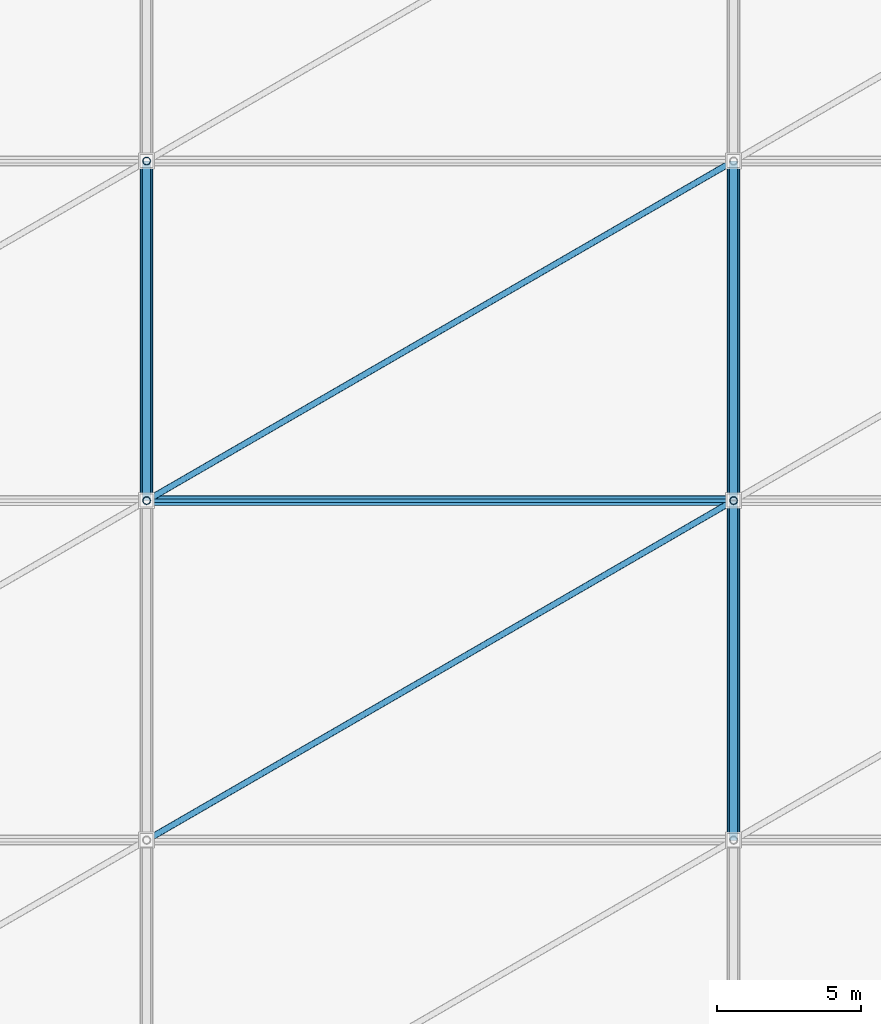
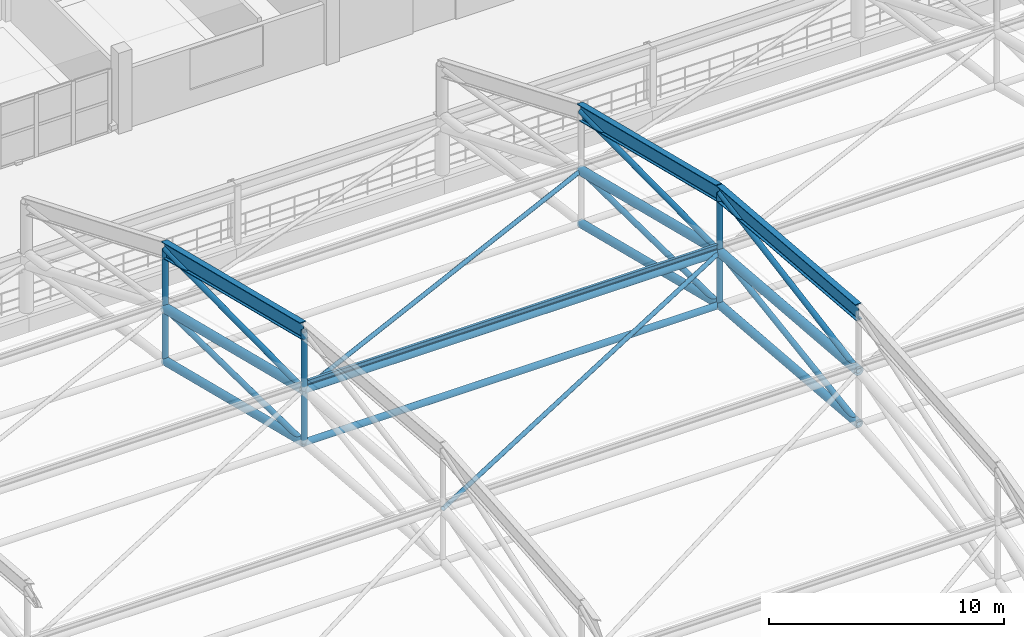
# One storey, part 29 of 135: 23 members, 3 beams.
"""IFC4 building model written with IfcOpenShell, lengths in metres."""

import ifcopenshell
import ifcopenshell.guid

model = None  # the IFC model being written
_history = None  # IfcOwnerHistory: only IFC2X3 demands one
_inside = {}  # id of a spatial element -> (the spatial element, [elements in it])
_under = {}  # id of a project, library or spatial element -> (it, [spatial elements below it])
_declared = {}  # id of a project -> (the project, [libraries it declares])
_typed = {}  # id of a type object -> (the type object, [elements of that type])
_made_of = {}  # id of a material, layer set ... -> (it, [elements and type objects made of it])


def new_model(schema):
    """Start an empty IFC model of exactly this schema.

    Asked for "IFC4X3", IfcOpenShell would pick the latest addendum, in which some entities
    have other attributes; the version numbers below select the first issue.
    IFC2X3 requires an IfcOwnerHistory on every rooted entity: one is made here for all.
    """
    global model, _history
    if schema == "IFC4X3":
        model = ifcopenshell.file(schema_version=(4, 3, 0, 0))
    else:
        model = ifcopenshell.file(schema=schema)
    _inside.clear()
    _under.clear()
    _declared.clear()
    _typed.clear()
    _made_of.clear()
    _history = None
    if model.schema == "IFC2X3":
        org = make("IfcOrganization", Name="unknown")
        user = make(
            "IfcPersonAndOrganization",
            ThePerson=make("IfcPerson", FamilyName="unknown"),
            TheOrganization=org,
        )
        app = make(
            "IfcApplication",
            ApplicationDeveloper=org,
            Version="unknown",
            ApplicationFullName="unknown",
            ApplicationIdentifier="unknown",
        )
        _history = make(
            "IfcOwnerHistory",
            OwningUser=user,
            OwningApplication=app,
            ChangeAction="ADDED",
            CreationDate=0,
        )
    return model


def make(cls, **values):
    """One entity of the class cls with the attributes given. An attribute that is None is left unset."""
    return model.create_entity(
        cls, **{name: value for name, value in values.items() if value is not None}
    )


def rooted(cls, **values):
    """An entity with a GlobalId (a new one), such as an element, a storey or a relation."""
    return make(cls, GlobalId=ifcopenshell.guid.new(), OwnerHistory=_history, **values)


def si_unit(unit_type, name, prefix=None):
    """IfcSIUnit, for example si_unit("LENGTHUNIT", "METRE", prefix="MILLI")."""
    return make("IfcSIUnit", UnitType=unit_type, Prefix=prefix, Name=name)


def assignment(units):
    """IfcUnitAssignment: the units of a project."""
    return None if units is None else make("IfcUnitAssignment", Units=units)


def point(xyz):
    """IfcCartesianPoint."""
    return None if xyz is None else make("IfcCartesianPoint", Coordinates=xyz)


def direction(xyz):
    """IfcDirection."""
    return None if xyz is None else make("IfcDirection", DirectionRatios=xyz)


def frame(location, z_axis=None, x_axis=None):
    """IfcAxis2Placement3D, a coordinate frame: its origin and axes. An axis left out is left unset."""
    return make(
        "IfcAxis2Placement3D",
        Location=point(location),
        Axis=direction(z_axis),
        RefDirection=direction(x_axis),
    )


def frame_2d(location, x_axis=None):
    """IfcAxis2Placement2D, a coordinate frame in the plane: its origin and x axis."""
    return make(
        "IfcAxis2Placement2D", Location=point(location), RefDirection=direction(x_axis)
    )


def origin():
    """The frame at (0, 0, 0) with its axes left unset."""
    return frame((0.0, 0.0, 0.0))


def origin_2d():
    """The frame at (0, 0) in the plane with its x axis left unset."""
    return frame_2d((0.0, 0.0))


def place(relative_to, where):
    """IfcLocalPlacement: puts the frame where relative to a parent placement (None: the world)."""
    return make(
        "IfcLocalPlacement", PlacementRelTo=relative_to, RelativePlacement=where
    )


def context(
    kind, dimensions, precision=None, world=None, true_north=None, identifier=None
):
    """IfcGeometricRepresentationContext, for example the 3D "Model" context."""
    return make(
        "IfcGeometricRepresentationContext",
        ContextIdentifier=identifier,
        ContextType=kind,
        CoordinateSpaceDimension=dimensions,
        Precision=precision,
        WorldCoordinateSystem=world,
        TrueNorth=true_north,
    )


def subcontext(parent, identifier, kind, view, scale=None):
    """IfcGeometricRepresentationSubContext, for example "Body" below "Model"."""
    return make(
        "IfcGeometricRepresentationSubContext",
        ContextIdentifier=identifier,
        ContextType=kind,
        ParentContext=parent,
        TargetScale=scale,
        TargetView=view,
    )


def project(units=None, contexts=None):
    """IfcProject with its units and contexts."""
    return rooted(
        "IfcProject",
        Name="project",
        RepresentationContexts=contexts,
        UnitsInContext=assignment(units),
    )


def spatial(cls, under=None, at=None, **own):
    """A site, building, storey or space (cls), placed at a placement, below another one or the project."""
    s = rooted(cls, ObjectPlacement=at, **own)
    if under is not None:
        _under.setdefault(under.id(), (under, []))[1].append(s)
    return s


def profile(cls, at=None, kind="AREA", **sizes):
    """A parametric profile (cls). Its sizes go by their IFC names, for example OverallWidth=200.0."""
    return make(cls, ProfileType=kind, Position=at, **sizes)


def hollow_circle(**sizes):
    """IfcCircleHollowProfileDef."""
    return profile("IfcCircleHollowProfileDef", **sizes)


def i_section(**sizes):
    """IfcIShapeProfileDef."""
    return profile("IfcIShapeProfileDef", **sizes)


def extrude(swept, where, along, depth):
    """IfcExtrudedAreaSolid: the profile swept, set in the frame where, extruded along a direction by depth."""
    return make(
        "IfcExtrudedAreaSolid",
        SweptArea=swept,
        Position=where,
        ExtrudedDirection=direction(along),
        Depth=depth,
    )


def shape(context_of_items, identifier, shape_type, items):
    """IfcShapeRepresentation: the items that make up one representation, for example the "Body"."""
    return make(
        "IfcShapeRepresentation",
        ContextOfItems=context_of_items,
        RepresentationIdentifier=identifier,
        RepresentationType=shape_type,
        Items=items,
    )


def material(Name=None, Category=None):
    """IfcMaterial."""
    return make("IfcMaterial", Name=Name, Category=Category)


def material_profile(
    of_material, cross_section, Name=None, Category=None, Priority=None
):
    """IfcMaterialProfile: a cross section and its material."""
    return make(
        "IfcMaterialProfile",
        Name=Name,
        Material=of_material,
        Profile=cross_section,
        Priority=Priority,
        Category=Category,
    )


def profile_set(profiles, Name=None, composite=None):
    """IfcMaterialProfileSet."""
    return make(
        "IfcMaterialProfileSet",
        Name=Name,
        MaterialProfiles=profiles,
        CompositeProfile=composite,
    )


def made_of(thing, what):
    """Note that an element or type object is made of a material, layer set ...; save() writes the relation."""
    if what is not None:
        _made_of.setdefault(what.id(), (what, []))[1].append(thing)
    return thing


def type_object(cls, material=None, **own):
    """A type object (cls), such as IfcWallType, which elements share."""
    return made_of(rooted(cls, **own), material)


def element(
    cls,
    number,
    at=None,
    inside=None,
    cuts=None,
    type_object=None,
    material=None,
    context=None,
    identifier="Body",
    shape_type=None,
    held_by="IfcProductDefinitionShape",
    body=None,
    shapes=None,
    **own,
):
    """One element of the class cls, such as IfcWall. Its Tag is "e" and its number.

    at: its placement. inside: the storey or other place that contains it. cuts: it is an
    opening in that element (IfcRelVoidsElement). A single representation is given by context,
    identifier, shape_type and body (its items); several are given by shapes. held_by: the class
    of the entity that holds the representations. save() writes the other relations.
    """
    e = rooted(cls, Tag="e%d" % number, ObjectPlacement=at, **own)
    if body is not None:
        shapes = [shape(context, identifier, shape_type, body)]
    if shapes is not None:
        e.Representation = make(held_by, Representations=shapes)
    if inside is not None:
        _inside.setdefault(inside.id(), (inside, []))[1].append(e)
    if cuts is not None:
        rooted(
            "IfcRelVoidsElement", RelatingBuildingElement=cuts, RelatedOpeningElement=e
        )
    if type_object is not None:
        _typed.setdefault(type_object.id(), (type_object, []))[1].append(e)
    return made_of(e, material)


def aggregate(whole, parts):
    """IfcRelAggregates: a whole, such as a stair, and the parts it consists of."""
    return rooted("IfcRelAggregates", RelatingObject=whole, RelatedObjects=parts)


def save(model, path):
    """Write the relations noted so far, then the file.

    IfcRelAggregates (storeys below a building ...), IfcRelContainedInSpatialStructure (elements
    in a storey), IfcRelDefinesByType, IfcRelAssociatesMaterial and IfcRelDeclares: one each for
    every whole, place, type object, material and project.
    """
    for whole, parts in _under.values():
        aggregate(whole, parts)
    for where, things in _inside.values():
        rooted(
            "IfcRelContainedInSpatialStructure",
            RelatedElements=things,
            RelatingStructure=where,
        )
    for kind, things in _typed.values():
        rooted("IfcRelDefinesByType", RelatedObjects=things, RelatingType=kind)
    for what, things in _made_of.values():
        rooted("IfcRelAssociatesMaterial", RelatedObjects=things, RelatingMaterial=what)
    for by, libraries in _declared.values():
        rooted("IfcRelDeclares", RelatingContext=by, RelatedDefinitions=libraries)
    model.write(path)


model = new_model("IFC4")

# Units and contexts
model_context = context("Model", 3, precision=1e-05, world=origin(), true_north=direction((0.0, 1.0)))
body_context = subcontext(model_context, "Body", "Model", "MODEL_VIEW")
ifc_project = project(units=[si_unit("LENGTHUNIT", "METRE"), si_unit("AREAUNIT", "SQUARE_METRE"), si_unit("VOLUMEUNIT", "CUBIC_METRE"), si_unit("PLANEANGLEUNIT", "RADIAN"), si_unit("MASSUNIT", "GRAM", prefix="KILO")], contexts=[model_context])

# Site, building, storey
site_placement = place(None, origin())
site = spatial("IfcSite", under=ifc_project, at=site_placement, CompositionType="ELEMENT")
building_placement = place(site_placement, origin())
building = spatial("IfcBuilding", under=site, at=building_placement, Name="Brelvane Convention Centre", CompositionType="ELEMENT")
storey_placement = place(building_placement, frame((0.0, 0.0, 15.0)))
storey = spatial("IfcBuildingStorey", under=building, at=storey_placement, Name="L03", CompositionType="ELEMENT", Elevation=15.0)

# Beams
ifc_material_1 = material(Name="Steel E450 (450 MPa)", Category="steel")
ifc_material_profile_1 = material_profile(ifc_material_1, i_section(OverallWidth=0.300048828125, OverallDepth=0.800048828125, WebThickness=0.015380859375, FlangeThickness=0.030029296875, FilletRadius=0.027099609375, at=origin_2d()), Name="NPB 800x300")
ifc_profile_set_1 = profile_set([ifc_material_profile_1], Name="Steel E450 (450 MPa)")
beam_type = type_object("IfcBeamType", Name="Steel Beam B-ST2 (NPB 800x300)", PredefinedType="BEAM", material=ifc_profile_set_1)
beam_1_placement = place(storey_placement, frame((40.800048828125, 76.0, 13.22216796875), z_axis=(0.0, 0.970464083196, -0.241245649134), x_axis=(-1.0, 0.0, 0.0)))
element("IfcBeam", 1, at=beam_1_placement, inside=storey, type_object=beam_type, Name="EXO_EXH Exoskeletal Arch Girder 3.5", PredefinedType="BEAM", context=body_context, shape_type="SweptSolid", body=[
    extrude(i_section(OverallWidth=0.300048828125, OverallDepth=0.800048828125, WebThickness=0.015380859375, FlangeThickness=0.030029296875, FilletRadius=0.027099609375, at=origin_2d()), origin(), (0.0, 0.0, 1.0), 12.1591796875),
])
beam_2_placement = place(storey_placement, frame((61.199951171875, 64.199951171875, 14.199951171875), z_axis=(0.0, 0.996584470208, -0.082579620615), x_axis=(-1.0, 0.0, 0.0)))
element("IfcBeam", 2, at=beam_2_placement, inside=storey, type_object=beam_type, Name="EXO_EXH Exoskeletal Arch Girder 4.4", PredefinedType="BEAM", context=body_context, shape_type="SweptSolid", body=[
    extrude(i_section(OverallWidth=0.300048828125, OverallDepth=0.800048828125, WebThickness=0.015380859375, FlangeThickness=0.030029296875, FilletRadius=0.027099609375, at=origin_2d()), origin(), (0.0, 0.0, 1.0), 11.840576171875),
])
beam_3_placement = place(storey_placement, frame((61.199951171875, 76.0, 13.22216796875), z_axis=(0.0, 0.970464083196, -0.241245649134), x_axis=(-1.0, 0.0, 0.0)))
element("IfcBeam", 3, at=beam_3_placement, inside=storey, type_object=beam_type, Name="EXO_EXH Exoskeletal Arch Girder 4.5", PredefinedType="BEAM", context=body_context, shape_type="SweptSolid", body=[
    extrude(i_section(OverallWidth=0.300048828125, OverallDepth=0.800048828125, WebThickness=0.015380859375, FlangeThickness=0.030029296875, FilletRadius=0.027099609375, at=origin_2d()), origin(), (0.0, 0.0, 1.0), 12.1591796875),
])

# Members
ifc_material_2 = material(Name="Steel E350 (350 MPa)", Category="steel")
ifc_material_profile_2 = material_profile(ifc_material_2, hollow_circle(Radius=0.136474609375, WallThickness=0.012451171875, at=origin_2d()), Name="CHS 273.0x12.5")
ifc_profile_set_2 = profile_set([ifc_material_profile_2], Name="Steel E350 (350 MPa)")
member_type_1 = type_object("IfcMemberType", Name="Steel Brace SF-DG1 (CHS 273.0x12.5)", PredefinedType="BRACE", material=ifc_profile_set_2)
member_1_placement = place(storey_placement, frame((40.800048828125, 76.0, 7.422119140625), z_axis=(0.0, 0.99986610997, -0.016363438913), x_axis=(-1.0, 0.0, 0.0)))
element("IfcMember", 4, at=member_1_placement, inside=storey, type_object=member_type_1, Name="SF_EXH Space-Frame Web Diagonal D3.5", PredefinedType="BRACE", context=body_context, shape_type="SweptSolid", body=[
    extrude(hollow_circle(Radius=0.136474609375, WallThickness=0.012451171875, at=origin_2d()), origin(), (0.0, 0.0, 1.0), 11.801513671875),
])
member_2_placement = place(storey_placement, frame((61.199951171875, 64.199951171875, 8.39990234375), z_axis=(0.0, 0.989032056502, 0.147701019672), x_axis=(-1.0, 0.0, 0.0)))
element("IfcMember", 5, at=member_2_placement, inside=storey, type_object=member_type_1, Name="SF_EXH Space-Frame Web Diagonal D4.4", PredefinedType="BRACE", context=body_context, shape_type="SweptSolid", body=[
    extrude(hollow_circle(Radius=0.136474609375, WallThickness=0.012451171875, at=origin_2d()), origin(), (0.0, 0.0, 1.0), 11.930908203125),
])
member_3_placement = place(storey_placement, frame((61.199951171875, 76.0, 7.422119140625), z_axis=(0.0, 0.99986610997, -0.016363438913), x_axis=(-1.0, 0.0, 0.0)))
element("IfcMember", 6, at=member_3_placement, inside=storey, type_object=member_type_1, Name="SF_EXH Space-Frame Web Diagonal D4.5", PredefinedType="BRACE", context=body_context, shape_type="SweptSolid", body=[
    extrude(hollow_circle(Radius=0.136474609375, WallThickness=0.012451171875, at=origin_2d()), origin(), (0.0, 0.0, 1.0), 11.801513671875),
])
member_4_placement = place(storey_placement, frame((40.800048828125, 76.0, 10.162109375), z_axis=(0.0, 0.999942352609, 0.010737386072), x_axis=(-1.0, 0.0, 0.0)))
element("IfcMember", 7, at=member_4_placement, inside=storey, type_object=member_type_1, Name="EXO_EXH Exoskeletal Arch Web 3.5", PredefinedType="BRACE", context=body_context, shape_type="SweptSolid", body=[
    extrude(hollow_circle(Radius=0.136474609375, WallThickness=0.012451171875, at=origin_2d()), origin(), (0.0, 0.0, 1.0), 11.80078125),
])
member_5_placement = place(storey_placement, frame((61.199951171875, 64.199951171875, 11.139892578125), z_axis=(0.0, 0.984784789498, 0.173778359912), x_axis=(-1.0, 0.0, 0.0)))
element("IfcMember", 8, at=member_5_placement, inside=storey, type_object=member_type_1, Name="EXO_EXH Exoskeletal Arch Web 4.4", PredefinedType="BRACE", context=body_context, shape_type="SweptSolid", body=[
    extrude(hollow_circle(Radius=0.136474609375, WallThickness=0.012451171875, at=origin_2d()), origin(), (0.0, 0.0, 1.0), 11.982421875),
])
member_6_placement = place(storey_placement, frame((61.199951171875, 76.0, 10.162109375), z_axis=(0.0, 0.999942352609, 0.010737386072), x_axis=(-1.0, 0.0, 0.0)))
element("IfcMember", 9, at=member_6_placement, inside=storey, type_object=member_type_1, Name="EXO_EXH Exoskeletal Arch Web 4.5", PredefinedType="BRACE", context=body_context, shape_type="SweptSolid", body=[
    extrude(hollow_circle(Radius=0.136474609375, WallThickness=0.012451171875, at=origin_2d()), origin(), (0.0, 0.0, 1.0), 11.80078125),
])
ifc_material_3 = material(Name="Steel E350 (350 MPa)", Category="steel")
ifc_material_profile_3 = material_profile(ifc_material_3, hollow_circle(Radius=0.109619140625, WallThickness=0.010009765625, at=origin_2d()), Name="CHS 219.1x10.0")
ifc_profile_set_3 = profile_set([ifc_material_profile_3], Name="Steel E350 (350 MPa)")
member_type_2 = type_object("IfcMemberType", Name="Steel Brace SF-DG2 (CHS 219.1x10.0)", PredefinedType="BRACE", material=ifc_profile_set_3)
member_7_placement = place(storey_placement, frame((40.800048828125, 64.199951171875, 11.139892578125), z_axis=(0.864873882245, 0.500274651745, -0.041454078585), x_axis=(-0.500705052683, 0.865617958581, 0.0)))
element("IfcMember", 10, at=member_7_placement, inside=storey, type_object=member_type_2, Name="SF_EXH Roof Diaphragm Brace PB3.4", PredefinedType="BRACE", context=body_context, shape_type="SweptSolid", body=[
    extrude(hollow_circle(Radius=0.109619140625, WallThickness=0.010009765625, at=origin_2d()), origin(), (0.0, 0.0, 1.0), 23.587158203125),
])
member_8_placement = place(storey_placement, frame((40.800048828125, 76.0, 10.162109375), z_axis=(0.85899063749, 0.496871568034, -0.123505990076), x_axis=(-0.500705052683, 0.865617958581, 0.0)))
element("IfcMember", 11, at=member_8_placement, inside=storey, type_object=member_type_2, Name="SF_EXH Roof Diaphragm Brace PB3.5", PredefinedType="BRACE", context=body_context, shape_type="SweptSolid", body=[
    extrude(hollow_circle(Radius=0.109619140625, WallThickness=0.010009765625, at=origin_2d()), origin(), (0.0, 0.0, 1.0), 23.748779296875),
])
ifc_material_4 = material(Name="Steel E450 (450 MPa)", Category="steel")
ifc_material_profile_4 = material_profile(ifc_material_4, hollow_circle(Radius=0.203125, WallThickness=0.01611328125, at=origin_2d()), Name="CHS 406.4x16.0")
ifc_profile_set_4 = profile_set([ifc_material_profile_4], Name="Steel E450 (450 MPa)")
member_type_3 = type_object("IfcMemberType", Name="Steel Chord SF-BC1 (CHS 406.4x16.0)", PredefinedType="CHORD", material=ifc_profile_set_4)
member_9_placement = place(storey_placement, frame((40.800048828125, 76.0, 7.422119140625), z_axis=(0.0, 0.970468783866, -0.241226738861), x_axis=(-1.0, 0.0, 0.0)))
element("IfcMember", 12, at=member_9_placement, inside=storey, type_object=member_type_3, Name="SF_EXH Space-Frame Bottom Chord B3.5", PredefinedType="CHORD", context=body_context, shape_type="SweptSolid", body=[
    extrude(hollow_circle(Radius=0.203125, WallThickness=0.01611328125, at=origin_2d()), origin(), (0.0, 0.0, 1.0), 12.1591796875),
])
member_10_placement = place(storey_placement, frame((61.199951171875, 64.199951171875, 8.39990234375), z_axis=(0.0, 0.996584470208, -0.082579620615), x_axis=(-1.0, 0.0, 0.0)))
element("IfcMember", 13, at=member_10_placement, inside=storey, type_object=member_type_3, Name="SF_EXH Space-Frame Bottom Chord B4.4", PredefinedType="CHORD", context=body_context, shape_type="SweptSolid", body=[
    extrude(hollow_circle(Radius=0.203125, WallThickness=0.01611328125, at=origin_2d()), origin(), (0.0, 0.0, 1.0), 11.840576171875),
])
member_11_placement = place(storey_placement, frame((61.199951171875, 76.0, 7.422119140625), z_axis=(0.0, 0.970468783866, -0.241226738861), x_axis=(-1.0, 0.0, 0.0)))
element("IfcMember", 14, at=member_11_placement, inside=storey, type_object=member_type_3, Name="SF_EXH Space-Frame Bottom Chord B4.5", PredefinedType="CHORD", context=body_context, shape_type="SweptSolid", body=[
    extrude(hollow_circle(Radius=0.203125, WallThickness=0.01611328125, at=origin_2d()), origin(), (0.0, 0.0, 1.0), 12.1591796875),
])
ifc_material_5 = material(Name="Steel E350 (350 MPa)", Category="steel")
ifc_material_profile_5 = material_profile(ifc_material_5, hollow_circle(Radius=0.161865234375, WallThickness=0.012451171875, at=origin_2d()), Name="CHS 323.9x12.5")
ifc_profile_set_5 = profile_set([ifc_material_profile_5], Name="Steel E350 (350 MPa)")
member_type_4 = type_object("IfcMemberType", Name="Steel Chord SF-BC2 (CHS 323.9x12.5)", PredefinedType="CHORD", material=ifc_profile_set_5)
member_12_placement = place(storey_placement, frame((40.800048828125, 76.0, 7.422119140625), z_axis=(1.0, 0.0, 0.0), x_axis=(0.0, 1.0, 0.0)))
element("IfcMember", 15, at=member_12_placement, inside=storey, type_object=member_type_4, Name="SF_EXH Longitudinal Bottom Chord LB3.5", PredefinedType="CHORD", context=body_context, shape_type="SweptSolid", body=[
    extrude(hollow_circle(Radius=0.161865234375, WallThickness=0.012451171875, at=origin_2d()), origin(), (0.0, 0.0, 1.0), 20.39990234375),
])
ifc_material_6 = material(Name="Steel E450 (450 MPa)", Category="steel")
ifc_material_profile_6 = material_profile(ifc_material_6, hollow_circle(Radius=0.228515625, WallThickness=0.02001953125, at=origin_2d()), Name="CHS 457.0x20.0")
ifc_profile_set_6 = profile_set([ifc_material_profile_6], Name="Steel E450 (450 MPa)")
member_type_5 = type_object("IfcMemberType", Name="Steel Chord SF-TC1 (CHS 457.0x20.0)", PredefinedType="CHORD", material=ifc_profile_set_6)
member_13_placement = place(storey_placement, frame((40.800048828125, 76.0, 10.162109375), z_axis=(0.0, 0.970468783866, -0.241226738861), x_axis=(-1.0, 0.0, 0.0)))
element("IfcMember", 16, at=member_13_placement, inside=storey, type_object=member_type_5, Name="SF_EXH Space-Frame Top Chord T3.5", PredefinedType="CHORD", context=body_context, shape_type="SweptSolid", body=[
    extrude(hollow_circle(Radius=0.228515625, WallThickness=0.02001953125, at=origin_2d()), origin(), (0.0, 0.0, 1.0), 12.1591796875),
])
member_14_placement = place(storey_placement, frame((61.199951171875, 64.199951171875, 11.139892578125), z_axis=(0.0, 0.996584470208, -0.082579620615), x_axis=(-1.0, 0.0, 0.0)))
element("IfcMember", 17, at=member_14_placement, inside=storey, type_object=member_type_5, Name="SF_EXH Space-Frame Top Chord T4.4", PredefinedType="CHORD", context=body_context, shape_type="SweptSolid", body=[
    extrude(hollow_circle(Radius=0.228515625, WallThickness=0.02001953125, at=origin_2d()), origin(), (0.0, 0.0, 1.0), 11.840576171875),
])
member_15_placement = place(storey_placement, frame((61.199951171875, 76.0, 10.162109375), z_axis=(0.0, 0.970468783866, -0.241226738861), x_axis=(-1.0, 0.0, 0.0)))
element("IfcMember", 18, at=member_15_placement, inside=storey, type_object=member_type_5, Name="SF_EXH Space-Frame Top Chord T4.5", PredefinedType="CHORD", context=body_context, shape_type="SweptSolid", body=[
    extrude(hollow_circle(Radius=0.228515625, WallThickness=0.02001953125, at=origin_2d()), origin(), (0.0, 0.0, 1.0), 12.1591796875),
])
ifc_material_7 = material(Name="Steel E450 (450 MPa)", Category="steel")
ifc_material_profile_7 = material_profile(ifc_material_7, hollow_circle(Radius=0.177734375, WallThickness=0.01611328125, at=origin_2d()), Name="CHS 355.6x16.0")
ifc_profile_set_7 = profile_set([ifc_material_profile_7], Name="Steel E450 (450 MPa)")
member_type_6 = type_object("IfcMemberType", Name="Steel Chord SF-TC2 (CHS 355.6x16.0)", PredefinedType="CHORD", material=ifc_profile_set_7)
member_16_placement = place(storey_placement, frame((40.800048828125, 76.0, 10.162109375), z_axis=(1.0, 0.0, 0.0), x_axis=(0.0, 1.0, 0.0)))
element("IfcMember", 19, at=member_16_placement, inside=storey, type_object=member_type_6, Name="SF_EXH Longitudinal Top Chord LT3.5", PredefinedType="CHORD", context=body_context, shape_type="SweptSolid", body=[
    extrude(hollow_circle(Radius=0.177734375, WallThickness=0.01611328125, at=origin_2d()), origin(), (0.0, 0.0, 1.0), 20.39990234375),
])
ifc_material_8 = material(Name="Steel E350 (350 MPa)", Category="steel")
ifc_material_profile_8 = material_profile(ifc_material_8, i_section(OverallWidth=0.125, OverallDepth=0.25, WebThickness=0.0068359375, FlangeThickness=0.012451171875, FilletRadius=0.012939453125, at=origin_2d()), Name="ISMB 250")
ifc_profile_set_8 = profile_set([ifc_material_profile_8], Name="Steel E350 (350 MPa)")
member_type_7 = type_object("IfcMemberType", Name="Steel Purlin PR-ST1 (ISMB 250)", PredefinedType="PURLIN", material=ifc_profile_set_8)
member_17_placement = place(storey_placement, frame((40.800048828125, 76.0, 10.497314453125), z_axis=(1.0, 0.0, 0.0), x_axis=(0.0, 1.0, 0.0)))
element("IfcMember", 20, at=member_17_placement, inside=storey, type_object=member_type_7, Name="SF_EXH Roof Purlin P3.5", PredefinedType="PURLIN", context=body_context, shape_type="SweptSolid", body=[
    extrude(i_section(OverallWidth=0.125, OverallDepth=0.25, WebThickness=0.0068359375, FlangeThickness=0.012451171875, FilletRadius=0.012939453125, at=origin_2d()), origin(), (0.0, 0.0, 1.0), 20.39990234375),
])
ifc_material_9 = material(Name="Steel E350 (350 MPa)", Category="steel")
ifc_material_profile_9 = material_profile(ifc_material_9, hollow_circle(Radius=0.136474609375, WallThickness=0.012451171875, at=origin_2d()), Name="CHS 273.0x12.5")
ifc_profile_set_9 = profile_set([ifc_material_profile_9], Name="Steel E350 (350 MPa)")
member_type_8 = type_object("IfcMemberType", Name="Steel Strut SF-VT1 (CHS 273.0x12.5)", PredefinedType="STRUT", material=ifc_profile_set_9)
for number, where, z_axis, x_axis, name in (
    (21, (40.800048828125, 76.0, 7.422119140625), (0.0, 0.0, 1.0), (1.0, 0.0, 0.0), "SF_EXH Space-Frame Post V3.4"),
    (22, (40.800048828125, 87.800048828125, 4.489013671875), (0.0, 0.0, 1.0), (1.0, 0.0, 0.0), "SF_EXH Space-Frame Post V3.5"),
    (23, (61.199951171875, 76.0, 7.422119140625), (0.0, 0.0, 1.0), (1.0, 0.0, 0.0), "SF_EXH Space-Frame Post V4.4"),
):
    element("IfcMember", number, at=place(storey_placement, frame(where, z_axis=z_axis, x_axis=x_axis)), inside=storey, type_object=member_type_8, Name=name, PredefinedType="STRUT", context=body_context, shape_type="SweptSolid", body=[
        extrude(hollow_circle(Radius=0.136474609375, WallThickness=0.012451171875, at=origin_2d()), origin(), (0.0, 0.0, 1.0), 2.739990234375),
    ])
member_18_placement = place(storey_placement, frame((40.800048828125, 76.0, 10.162109375), z_axis=(0.0, 0.0, 1.0), x_axis=(1.0, 0.0, 0.0)))
element("IfcMember", 24, at=member_18_placement, inside=storey, type_object=member_type_8, Name="EXO_EXH Roof Suspension Hanger 3.4", PredefinedType="STRUT", context=body_context, shape_type="SweptSolid", body=[
    extrude(hollow_circle(Radius=0.136474609375, WallThickness=0.012451171875, at=origin_2d()), origin(), (0.0, 0.0, 1.0), 3.06005859375),
])
member_19_placement = place(storey_placement, frame((40.800048828125, 87.800048828125, 7.22900390625), z_axis=(0.0, 0.0, 1.0), x_axis=(1.0, 0.0, 0.0)))
element("IfcMember", 25, at=member_19_placement, inside=storey, type_object=member_type_8, Name="EXO_EXH Roof Suspension Hanger 3.5", PredefinedType="STRUT", context=body_context, shape_type="SweptSolid", body=[
    extrude(hollow_circle(Radius=0.136474609375, WallThickness=0.012451171875, at=origin_2d()), origin(), (0.0, 0.0, 1.0), 3.059814453125),
])
member_20_placement = place(storey_placement, frame((61.199951171875, 76.0, 10.162109375), z_axis=(0.0, 0.0, 1.0), x_axis=(1.0, 0.0, 0.0)))
element("IfcMember", 26, at=member_20_placement, inside=storey, type_object=member_type_8, Name="EXO_EXH Roof Suspension Hanger 4.4", PredefinedType="STRUT", context=body_context, shape_type="SweptSolid", body=[
    extrude(hollow_circle(Radius=0.136474609375, WallThickness=0.012451171875, at=origin_2d()), origin(), (0.0, 0.0, 1.0), 3.06005859375),
])

save(model, "model.ifc")
